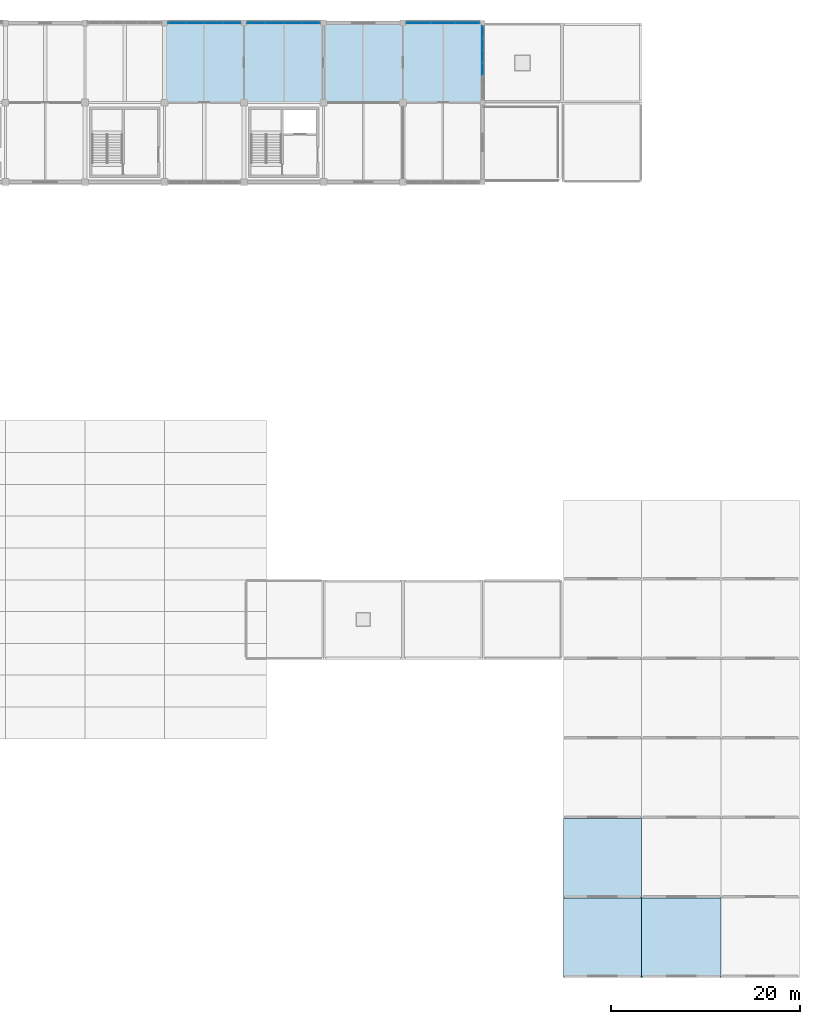
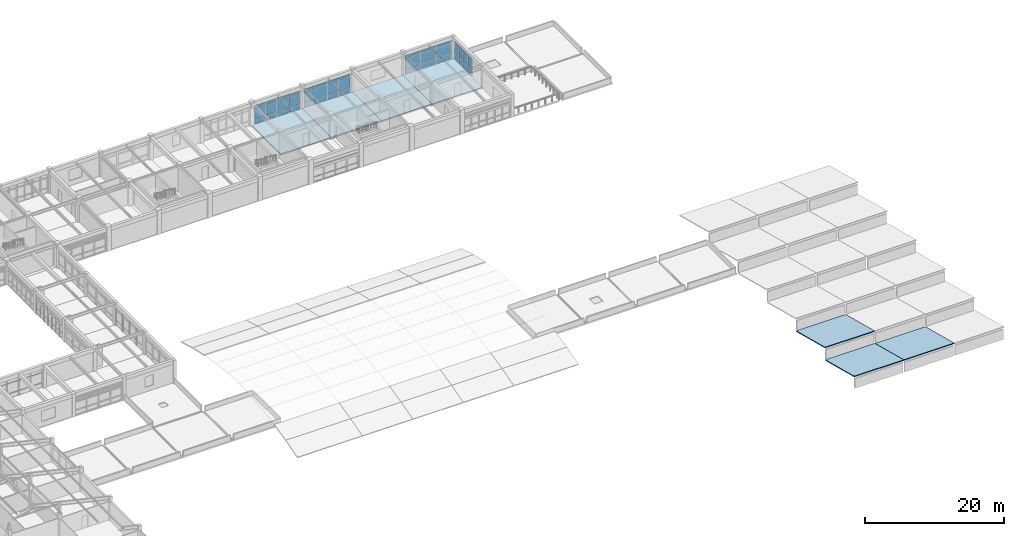
# One storey, part 28 of 40: 45 plates, 7 slabs, 4 elements without a shape of their own.
"""IFC4 building model written with IfcOpenShell, lengths in metres."""

from ifc_helpers import new_model, si_unit, direction, frame, origin, origin_2d, place, context, subcontext, project, spatial, polyline, rectangle, outline, extrude, material, layer, layer_set, type_object, element, aggregate, save


model = new_model("IFC4")

# Units and contexts
model_context = context("Model", 3, precision=1e-05, world=origin(), true_north=direction((0.0, 1.0)))
body_context = subcontext(model_context, "Body", "Model", "MODEL_VIEW")
ifc_project = project(units=[si_unit("LENGTHUNIT", "METRE"), si_unit("AREAUNIT", "SQUARE_METRE"), si_unit("VOLUMEUNIT", "CUBIC_METRE"), si_unit("PLANEANGLEUNIT", "RADIAN"), si_unit("MASSUNIT", "GRAM", prefix="KILO")], contexts=[model_context])

# Site, building, storey
site_placement = place(None, origin())
site = spatial("IfcSite", under=ifc_project, at=site_placement, CompositionType="ELEMENT")
building_placement = place(site_placement, origin())
building = spatial("IfcBuilding", under=site, at=building_placement, Name="Porcellanite Civic Hall", CompositionType="ELEMENT")
storey_placement = place(building_placement, frame((0.0, 0.0, 19.080078125)))
storey = spatial("IfcBuildingStorey", under=building, at=storey_placement, Name="L04", CompositionType="ELEMENT", Elevation=19.080078125)

# Curtain wall, plates
ifc_material_1 = material(Name="Anodised aluminium and solar laminated glass", Category="aluminium")
ifc_layer_1 = layer(ifc_material_1, 0.179931640625)
ifc_layer_set_1 = layer_set([ifc_layer_1], Name="Anodised aluminium and solar laminated glass")
curtain_wall_type_1 = type_object("IfcCurtainWallType", Name="CW-SYS04", PredefinedType="NOTDEFINED", material=ifc_layer_set_1)
curtain_wall_1_placement = place(storey_placement, origin())
curtain_wall_1 = element("IfcCurtainWall", 1, at=curtain_wall_1_placement, inside=storey, type_object=curtain_wall_type_1, Name="Curtain wall CW-253", PredefinedType="NOTDEFINED")
ifc_material_2 = material(Name="Cyclone laminated solar-control low-E glass", Category="glass")
ifc_layer_2 = layer(ifc_material_2, 0.030029296875)
ifc_layer_set_2 = layer_set([ifc_layer_2], Name="Cyclone laminated solar-control low-E glass")
plate_type_1 = type_object("IfcPlateType", Name="CWP-04", PredefinedType="CURTAIN_PANEL", material=ifc_layer_set_2)
plate_1_placement = place(storey_placement, frame((102.116455078125, 117.60009765625, 0.054931640625), z_axis=(0.0, 0.0, 1.0), x_axis=(1.0, 0.0, 0.0)))
plate_1 = element("IfcPlate", 2, at=plate_1_placement, type_object=plate_type_1, Name="CW-253 panel 1.1", PredefinedType="CURTAIN_PANEL", context=body_context, shape_type="SweptSolid", body=[
    extrude(rectangle(XDim=1.830810546875, YDim=0.030029296875, at=origin_2d()), origin(), (0.0, 0.0, 1.0), 0.8173828125),
])
plate_2_placement = place(storey_placement, frame((102.116455078125, 117.60009765625, 0.92724609375), z_axis=(0.0, 0.0, 1.0), x_axis=(1.0, 0.0, 0.0)))
plate_2 = element("IfcPlate", 3, at=plate_2_placement, type_object=plate_type_1, Name="CW-253 panel 1.2", PredefinedType="CURTAIN_PANEL", context=body_context, shape_type="SweptSolid", body=[
    extrude(rectangle(XDim=1.830810546875, YDim=0.030029296875, at=origin_2d()), origin(), (0.0, 0.0, 1.0), 1.764892578125),
])
plate_3_placement = place(storey_placement, frame((102.116455078125, 117.60009765625, 2.74755859375), z_axis=(0.0, 0.0, 1.0), x_axis=(1.0, 0.0, 0.0)))
plate_3 = element("IfcPlate", 4, at=plate_3_placement, type_object=plate_type_1, Name="CW-253 panel 1.3", PredefinedType="CURTAIN_PANEL", context=body_context, shape_type="SweptSolid", body=[
    extrude(rectangle(XDim=1.830810546875, YDim=0.030029296875, at=origin_2d()), origin(), (0.0, 0.0, 1.0), 0.5673828125),
])
plate_4_placement = place(storey_placement, frame((104.040771484375, 117.60009765625, 0.054931640625), z_axis=(0.0, 0.0, 1.0), x_axis=(1.0, 0.0, 0.0)))
plate_4 = element("IfcPlate", 5, at=plate_4_placement, type_object=plate_type_1, Name="CW-253 panel 2.1", PredefinedType="CURTAIN_PANEL", context=body_context, shape_type="SweptSolid", body=[
    extrude(rectangle(XDim=1.8681640625, YDim=0.030029296875, at=origin_2d()), origin(), (0.0, 0.0, 1.0), 0.8173828125),
])
plate_5_placement = place(storey_placement, frame((104.040771484375, 117.60009765625, 0.92724609375), z_axis=(0.0, 0.0, 1.0), x_axis=(1.0, 0.0, 0.0)))
plate_5 = element("IfcPlate", 6, at=plate_5_placement, type_object=plate_type_1, Name="CW-253 panel 2.2", PredefinedType="CURTAIN_PANEL", context=body_context, shape_type="SweptSolid", body=[
    extrude(rectangle(XDim=1.8681640625, YDim=0.030029296875, at=origin_2d()), origin(), (0.0, 0.0, 1.0), 1.764892578125),
])
plate_6_placement = place(storey_placement, frame((104.040771484375, 117.60009765625, 2.74755859375), z_axis=(0.0, 0.0, 1.0), x_axis=(1.0, 0.0, 0.0)))
plate_6 = element("IfcPlate", 7, at=plate_6_placement, type_object=plate_type_1, Name="CW-253 panel 2.3", PredefinedType="CURTAIN_PANEL", context=body_context, shape_type="SweptSolid", body=[
    extrude(rectangle(XDim=1.8681640625, YDim=0.030029296875, at=origin_2d()), origin(), (0.0, 0.0, 1.0), 0.5673828125),
])
plate_7_placement = place(storey_placement, frame((105.984130859375, 117.60009765625, 0.054931640625), z_axis=(0.0, 0.0, 1.0), x_axis=(1.0, 0.0, 0.0)))
plate_7 = element("IfcPlate", 8, at=plate_7_placement, type_object=plate_type_1, Name="CW-253 panel 3.1", PredefinedType="CURTAIN_PANEL", context=body_context, shape_type="SweptSolid", body=[
    extrude(rectangle(XDim=1.8681640625, YDim=0.030029296875, at=origin_2d()), origin(), (0.0, 0.0, 1.0), 0.8173828125),
])
plate_8_placement = place(storey_placement, frame((105.984130859375, 117.60009765625, 0.92724609375), z_axis=(0.0, 0.0, 1.0), x_axis=(1.0, 0.0, 0.0)))
plate_8 = element("IfcPlate", 9, at=plate_8_placement, type_object=plate_type_1, Name="CW-253 panel 3.2", PredefinedType="CURTAIN_PANEL", context=body_context, shape_type="SweptSolid", body=[
    extrude(rectangle(XDim=1.8681640625, YDim=0.030029296875, at=origin_2d()), origin(), (0.0, 0.0, 1.0), 1.764892578125),
])
plate_9_placement = place(storey_placement, frame((105.984130859375, 117.60009765625, 2.74755859375), z_axis=(0.0, 0.0, 1.0), x_axis=(1.0, 0.0, 0.0)))
plate_9 = element("IfcPlate", 10, at=plate_9_placement, type_object=plate_type_1, Name="CW-253 panel 3.3", PredefinedType="CURTAIN_PANEL", context=body_context, shape_type="SweptSolid", body=[
    extrude(rectangle(XDim=1.8681640625, YDim=0.030029296875, at=origin_2d()), origin(), (0.0, 0.0, 1.0), 0.5673828125),
])
plate_10_placement = place(storey_placement, frame((107.90869140625, 117.60009765625, 0.054931640625), z_axis=(0.0, 0.0, 1.0), x_axis=(1.0, 0.0, 0.0)))
plate_10 = element("IfcPlate", 11, at=plate_10_placement, type_object=plate_type_1, Name="CW-253 panel 4.1", PredefinedType="CURTAIN_PANEL", context=body_context, shape_type="SweptSolid", body=[
    extrude(rectangle(XDim=1.830810546875, YDim=0.030029296875, at=origin_2d()), origin(), (0.0, 0.0, 1.0), 0.8173828125),
])
plate_11_placement = place(storey_placement, frame((107.90869140625, 117.60009765625, 0.92724609375), z_axis=(0.0, 0.0, 1.0), x_axis=(1.0, 0.0, 0.0)))
plate_11 = element("IfcPlate", 12, at=plate_11_placement, type_object=plate_type_1, Name="CW-253 panel 4.2", PredefinedType="CURTAIN_PANEL", context=body_context, shape_type="SweptSolid", body=[
    extrude(rectangle(XDim=1.830810546875, YDim=0.030029296875, at=origin_2d()), origin(), (0.0, 0.0, 1.0), 1.764892578125),
])
plate_12_placement = place(storey_placement, frame((107.90869140625, 117.60009765625, 2.74755859375), z_axis=(0.0, 0.0, 1.0), x_axis=(1.0, 0.0, 0.0)))
plate_12 = element("IfcPlate", 13, at=plate_12_placement, type_object=plate_type_1, Name="CW-253 panel 4.3", PredefinedType="CURTAIN_PANEL", context=body_context, shape_type="SweptSolid", body=[
    extrude(rectangle(XDim=1.830810546875, YDim=0.030029296875, at=origin_2d()), origin(), (0.0, 0.0, 1.0), 0.5673828125),
])
aggregate(curtain_wall_1, [plate_1, plate_2, plate_3, plate_4, plate_5, plate_6, plate_7, plate_8, plate_9, plate_10, plate_11, plate_12])

ifc_material_3 = material(Name="Anodised aluminium and solar laminated glass", Category="aluminium")
ifc_layer_3 = layer(ifc_material_3, 0.179931640625)
ifc_layer_set_3 = layer_set([ifc_layer_3], Name="Anodised aluminium and solar laminated glass")
curtain_wall_type_2 = type_object("IfcCurtainWallType", Name="CW-SYS06", PredefinedType="NOTDEFINED", material=ifc_layer_set_3)
curtain_wall_2_placement = place(storey_placement, origin())
curtain_wall_2 = element("IfcCurtainWall", 14, at=curtain_wall_2_placement, inside=storey, type_object=curtain_wall_type_2, Name="Curtain wall CW-254", PredefinedType="NOTDEFINED")
ifc_material_4 = material(Name="Cyclone laminated solar-control low-E glass", Category="glass")
ifc_layer_4 = layer(ifc_material_4, 0.031982421875)
ifc_layer_set_4 = layer_set([ifc_layer_4], Name="Cyclone laminated solar-control low-E glass")
plate_type_2 = type_object("IfcPlateType", Name="CWP-05", PredefinedType="CURTAIN_PANEL", material=ifc_layer_set_4)
plate_13_placement = place(storey_placement, frame((110.48876953125, 117.60009765625, 0.0498046875), z_axis=(0.0, 0.0, 1.0), x_axis=(1.0, 0.0, 0.0)))
plate_13 = element("IfcPlate", 15, at=plate_13_placement, type_object=plate_type_2, Name="CW-254 panel 1.1", PredefinedType="CURTAIN_PANEL", context=body_context, shape_type="SweptSolid", body=[
    extrude(rectangle(XDim=1.845703125, YDim=0.031982421875, at=origin_2d()), origin(), (0.0, 0.0, 1.0), 0.824951171875),
])
plate_14_placement = place(storey_placement, frame((110.48876953125, 117.60009765625, 0.9248046875), z_axis=(0.0, 0.0, 1.0), x_axis=(1.0, 0.0, 0.0)))
plate_14 = element("IfcPlate", 16, at=plate_14_placement, type_object=plate_type_2, Name="CW-254 panel 1.2", PredefinedType="CURTAIN_PANEL", context=body_context, shape_type="SweptSolid", body=[
    extrude(rectangle(XDim=1.845703125, YDim=0.031982421875, at=origin_2d()), origin(), (0.0, 0.0, 1.0), 1.77001953125),
])
plate_15_placement = place(storey_placement, frame((110.48876953125, 117.60009765625, 2.7451171875), z_axis=(0.0, 0.0, 1.0), x_axis=(1.0, 0.0, 0.0)))
plate_15 = element("IfcPlate", 17, at=plate_15_placement, type_object=plate_type_2, Name="CW-254 panel 1.3", PredefinedType="CURTAIN_PANEL", context=body_context, shape_type="SweptSolid", body=[
    extrude(rectangle(XDim=1.845703125, YDim=0.031982421875, at=origin_2d()), origin(), (0.0, 0.0, 1.0), 0.574951171875),
])
plate_16_placement = place(storey_placement, frame((112.415771484375, 117.60009765625, 0.0498046875), z_axis=(0.0, 0.0, 1.0), x_axis=(1.0, 0.0, 0.0)))
plate_16 = element("IfcPlate", 18, at=plate_16_placement, type_object=plate_type_2, Name="CW-254 panel 2.1", PredefinedType="CURTAIN_PANEL", context=body_context, shape_type="SweptSolid", body=[
    extrude(rectangle(XDim=1.878173828125, YDim=0.031982421875, at=origin_2d()), origin(), (0.0, 0.0, 1.0), 0.824951171875),
])
plate_17_placement = place(storey_placement, frame((112.415771484375, 117.60009765625, 0.9248046875), z_axis=(0.0, 0.0, 1.0), x_axis=(1.0, 0.0, 0.0)))
plate_17 = element("IfcPlate", 19, at=plate_17_placement, type_object=plate_type_2, Name="CW-254 panel 2.2", PredefinedType="CURTAIN_PANEL", context=body_context, shape_type="SweptSolid", body=[
    extrude(rectangle(XDim=1.878173828125, YDim=0.031982421875, at=origin_2d()), origin(), (0.0, 0.0, 1.0), 1.77001953125),
])
plate_18_placement = place(storey_placement, frame((112.415771484375, 117.60009765625, 2.7451171875), z_axis=(0.0, 0.0, 1.0), x_axis=(1.0, 0.0, 0.0)))
plate_18 = element("IfcPlate", 20, at=plate_18_placement, type_object=plate_type_2, Name="CW-254 panel 2.3", PredefinedType="CURTAIN_PANEL", context=body_context, shape_type="SweptSolid", body=[
    extrude(rectangle(XDim=1.878173828125, YDim=0.031982421875, at=origin_2d()), origin(), (0.0, 0.0, 1.0), 0.574951171875),
])
plate_19_placement = place(storey_placement, frame((114.359130859375, 117.60009765625, 0.0498046875), z_axis=(0.0, 0.0, 1.0), x_axis=(1.0, 0.0, 0.0)))
plate_19 = element("IfcPlate", 21, at=plate_19_placement, type_object=plate_type_2, Name="CW-254 panel 3.1", PredefinedType="CURTAIN_PANEL", context=body_context, shape_type="SweptSolid", body=[
    extrude(rectangle(XDim=1.878173828125, YDim=0.031982421875, at=origin_2d()), origin(), (0.0, 0.0, 1.0), 0.824951171875),
])
plate_20_placement = place(storey_placement, frame((114.359130859375, 117.60009765625, 0.9248046875), z_axis=(0.0, 0.0, 1.0), x_axis=(1.0, 0.0, 0.0)))
plate_20 = element("IfcPlate", 22, at=plate_20_placement, type_object=plate_type_2, Name="CW-254 panel 3.2", PredefinedType="CURTAIN_PANEL", context=body_context, shape_type="SweptSolid", body=[
    extrude(rectangle(XDim=1.878173828125, YDim=0.031982421875, at=origin_2d()), origin(), (0.0, 0.0, 1.0), 1.77001953125),
])
plate_21_placement = place(storey_placement, frame((114.359130859375, 117.60009765625, 2.7451171875), z_axis=(0.0, 0.0, 1.0), x_axis=(1.0, 0.0, 0.0)))
plate_21 = element("IfcPlate", 23, at=plate_21_placement, type_object=plate_type_2, Name="CW-254 panel 3.3", PredefinedType="CURTAIN_PANEL", context=body_context, shape_type="SweptSolid", body=[
    extrude(rectangle(XDim=1.878173828125, YDim=0.031982421875, at=origin_2d()), origin(), (0.0, 0.0, 1.0), 0.574951171875),
])
plate_22_placement = place(storey_placement, frame((116.2861328125, 117.60009765625, 0.0498046875), z_axis=(0.0, 0.0, 1.0), x_axis=(1.0, 0.0, 0.0)))
plate_22 = element("IfcPlate", 24, at=plate_22_placement, type_object=plate_type_2, Name="CW-254 panel 4.1", PredefinedType="CURTAIN_PANEL", context=body_context, shape_type="SweptSolid", body=[
    extrude(rectangle(XDim=1.845703125, YDim=0.031982421875, at=origin_2d()), origin(), (0.0, 0.0, 1.0), 0.824951171875),
])
plate_23_placement = place(storey_placement, frame((116.2861328125, 117.60009765625, 0.9248046875), z_axis=(0.0, 0.0, 1.0), x_axis=(1.0, 0.0, 0.0)))
plate_23 = element("IfcPlate", 25, at=plate_23_placement, type_object=plate_type_2, Name="CW-254 panel 4.2", PredefinedType="CURTAIN_PANEL", context=body_context, shape_type="SweptSolid", body=[
    extrude(rectangle(XDim=1.845703125, YDim=0.031982421875, at=origin_2d()), origin(), (0.0, 0.0, 1.0), 1.77001953125),
])
plate_24_placement = place(storey_placement, frame((116.2861328125, 117.60009765625, 2.7451171875), z_axis=(0.0, 0.0, 1.0), x_axis=(1.0, 0.0, 0.0)))
plate_24 = element("IfcPlate", 26, at=plate_24_placement, type_object=plate_type_2, Name="CW-254 panel 4.3", PredefinedType="CURTAIN_PANEL", context=body_context, shape_type="SweptSolid", body=[
    extrude(rectangle(XDim=1.845703125, YDim=0.031982421875, at=origin_2d()), origin(), (0.0, 0.0, 1.0), 0.574951171875),
])
aggregate(curtain_wall_2, [plate_13, plate_14, plate_15, plate_16, plate_17, plate_18, plate_19, plate_20, plate_21, plate_22, plate_23, plate_24])

ifc_material_5 = material(Name="Anodised aluminium and solar laminated glass", Category="aluminium")
ifc_layer_5 = layer(ifc_material_5, 0.179931640625)
ifc_layer_set_5 = layer_set([ifc_layer_5], Name="Anodised aluminium and solar laminated glass")
curtain_wall_type_3 = type_object("IfcCurtainWallType", Name="CW-SYS08", PredefinedType="NOTDEFINED", material=ifc_layer_set_5)
curtain_wall_3_placement = place(storey_placement, origin())
curtain_wall_3 = element("IfcCurtainWall", 27, at=curtain_wall_3_placement, inside=storey, type_object=curtain_wall_type_3, Name="Curtain wall CW-256", PredefinedType="NOTDEFINED")
ifc_material_6 = material(Name="Cyclone laminated solar-control low-E glass", Category="glass")
ifc_layer_6 = layer(ifc_material_6, 0.035888671875)
ifc_layer_set_6 = layer_set([ifc_layer_6], Name="Cyclone laminated solar-control low-E glass")
plate_type_3 = type_object("IfcPlateType", Name="CWP-07", PredefinedType="CURTAIN_PANEL", material=ifc_layer_set_6)
plate_25_placement = place(storey_placement, frame((127.624755859375, 117.60009765625, 0.070068359375), z_axis=(0.0, 0.0, 1.0), x_axis=(1.0, 0.0, 0.0)))
plate_25 = element("IfcPlate", 28, at=plate_25_placement, type_object=plate_type_3, Name="CW-256 panel 1.1", PredefinedType="CURTAIN_PANEL", context=body_context, shape_type="SweptSolid", body=[
    extrude(rectangle(XDim=2.487548828125, YDim=0.035888671875, at=origin_2d()), origin(), (0.0, 0.0, 1.0), 0.794921875),
])
plate_26_placement = place(storey_placement, frame((127.624755859375, 117.60009765625, 0.934814453125), z_axis=(0.0, 0.0, 1.0), x_axis=(1.0, 0.0, 0.0)))
plate_26 = element("IfcPlate", 29, at=plate_26_placement, type_object=plate_type_3, Name="CW-256 panel 1.2", PredefinedType="CURTAIN_PANEL", context=body_context, shape_type="SweptSolid", body=[
    extrude(rectangle(XDim=2.487548828125, YDim=0.035888671875, at=origin_2d()), origin(), (0.0, 0.0, 1.0), 1.75),
])
plate_27_placement = place(storey_placement, frame((127.624755859375, 117.60009765625, 2.7548828125), z_axis=(0.0, 0.0, 1.0), x_axis=(1.0, 0.0, 0.0)))
plate_27 = element("IfcPlate", 30, at=plate_27_placement, type_object=plate_type_3, Name="CW-256 panel 1.3", PredefinedType="CURTAIN_PANEL", context=body_context, shape_type="SweptSolid", body=[
    extrude(rectangle(XDim=2.487548828125, YDim=0.035888671875, at=origin_2d()), origin(), (0.0, 0.0, 1.0), 0.544921875),
])
plate_28_placement = place(storey_placement, frame((130.21240234375, 117.60009765625, 0.070068359375), z_axis=(0.0, 0.0, 1.0), x_axis=(1.0, 0.0, 0.0)))
plate_28 = element("IfcPlate", 31, at=plate_28_placement, type_object=plate_type_3, Name="CW-256 panel 2.1", PredefinedType="CURTAIN_PANEL", context=body_context, shape_type="SweptSolid", body=[
    extrude(rectangle(XDim=2.527587890625, YDim=0.035888671875, at=origin_2d()), origin(), (0.0, 0.0, 1.0), 0.794921875),
])
plate_29_placement = place(storey_placement, frame((130.21240234375, 117.60009765625, 0.934814453125), z_axis=(0.0, 0.0, 1.0), x_axis=(1.0, 0.0, 0.0)))
plate_29 = element("IfcPlate", 32, at=plate_29_placement, type_object=plate_type_3, Name="CW-256 panel 2.2", PredefinedType="CURTAIN_PANEL", context=body_context, shape_type="SweptSolid", body=[
    extrude(rectangle(XDim=2.527587890625, YDim=0.035888671875, at=origin_2d()), origin(), (0.0, 0.0, 1.0), 1.75),
])
plate_30_placement = place(storey_placement, frame((130.21240234375, 117.60009765625, 2.7548828125), z_axis=(0.0, 0.0, 1.0), x_axis=(1.0, 0.0, 0.0)))
plate_30 = element("IfcPlate", 33, at=plate_30_placement, type_object=plate_type_3, Name="CW-256 panel 2.3", PredefinedType="CURTAIN_PANEL", context=body_context, shape_type="SweptSolid", body=[
    extrude(rectangle(XDim=2.527587890625, YDim=0.035888671875, at=origin_2d()), origin(), (0.0, 0.0, 1.0), 0.544921875),
])
plate_31_placement = place(storey_placement, frame((132.800048828125, 117.60009765625, 0.070068359375), z_axis=(0.0, 0.0, 1.0), x_axis=(1.0, 0.0, 0.0)))
plate_31 = element("IfcPlate", 34, at=plate_31_placement, type_object=plate_type_3, Name="CW-256 panel 3.1", PredefinedType="CURTAIN_PANEL", context=body_context, shape_type="SweptSolid", body=[
    extrude(rectangle(XDim=2.487548828125, YDim=0.035888671875, at=origin_2d()), origin(), (0.0, 0.0, 1.0), 0.794921875),
])
plate_32_placement = place(storey_placement, frame((132.800048828125, 117.60009765625, 0.934814453125), z_axis=(0.0, 0.0, 1.0), x_axis=(1.0, 0.0, 0.0)))
plate_32 = element("IfcPlate", 35, at=plate_32_placement, type_object=plate_type_3, Name="CW-256 panel 3.2", PredefinedType="CURTAIN_PANEL", context=body_context, shape_type="SweptSolid", body=[
    extrude(rectangle(XDim=2.487548828125, YDim=0.035888671875, at=origin_2d()), origin(), (0.0, 0.0, 1.0), 1.75),
])
plate_33_placement = place(storey_placement, frame((132.800048828125, 117.60009765625, 2.7548828125), z_axis=(0.0, 0.0, 1.0), x_axis=(1.0, 0.0, 0.0)))
plate_33 = element("IfcPlate", 36, at=plate_33_placement, type_object=plate_type_3, Name="CW-256 panel 3.3", PredefinedType="CURTAIN_PANEL", context=body_context, shape_type="SweptSolid", body=[
    extrude(rectangle(XDim=2.487548828125, YDim=0.035888671875, at=origin_2d()), origin(), (0.0, 0.0, 1.0), 0.544921875),
])
aggregate(curtain_wall_3, [plate_25, plate_26, plate_27, plate_28, plate_29, plate_30, plate_31, plate_32, plate_33])

ifc_material_7 = material(Name="Anodised aluminium and solar laminated glass", Category="aluminium")
ifc_layer_7 = layer(ifc_material_7, 0.179931640625)
ifc_layer_set_7 = layer_set([ifc_layer_7], Name="Anodised aluminium and solar laminated glass")
curtain_wall_type_4 = type_object("IfcCurtainWallType", Name="CW-SYS01", PredefinedType="NOTDEFINED", material=ifc_layer_set_7)
curtain_wall_4_placement = place(storey_placement, origin())
curtain_wall_4 = element("IfcCurtainWall", 37, at=curtain_wall_4_placement, inside=storey, type_object=curtain_wall_type_4, Name="Curtain wall CW-257", PredefinedType="NOTDEFINED")
ifc_material_8 = material(Name="Insulated ochre aluminium spandrel panel", Category="aluminium")
ifc_layer_8 = layer(ifc_material_8, 0.0380859375)
ifc_layer_set_8 = layer_set([ifc_layer_8], Name="Insulated ochre aluminium spandrel panel")
plate_type_4 = type_object("IfcPlateType", Name="CWP-08", PredefinedType="CURTAIN_PANEL", material=ifc_layer_set_8)
plate_34_placement = place(storey_placement, frame((134.39990234375, 116.652587890625, 0.059814453125), z_axis=(0.0, 0.0, 1.0), x_axis=(0.0, -1.0, 0.0)))
plate_34 = element("IfcPlate", 38, at=plate_34_placement, type_object=plate_type_4, Name="CW-257 panel 1.1", PredefinedType="CURTAIN_PANEL", context=body_context, shape_type="SweptSolid", body=[
    extrude(rectangle(XDim=1.202880859375, YDim=0.0380859375, at=origin_2d()), origin(), (0.0, 0.0, 1.0), 0.81005859375),
])
plate_35_placement = place(storey_placement, frame((134.39990234375, 116.652587890625, 0.9296875), z_axis=(0.0, 0.0, 1.0), x_axis=(0.0, -1.0, 0.0)))
plate_35 = element("IfcPlate", 39, at=plate_35_placement, type_object=plate_type_4, Name="CW-257 panel 1.2", PredefinedType="CURTAIN_PANEL", context=body_context, shape_type="SweptSolid", body=[
    extrude(rectangle(XDim=1.202880859375, YDim=0.0380859375, at=origin_2d()), origin(), (0.0, 0.0, 1.0), 1.760009765625),
])
plate_36_placement = place(storey_placement, frame((134.39990234375, 116.652587890625, 2.75), z_axis=(0.0, 0.0, 1.0), x_axis=(0.0, -1.0, 0.0)))
plate_36 = element("IfcPlate", 40, at=plate_36_placement, type_object=plate_type_4, Name="CW-257 panel 1.3", PredefinedType="CURTAIN_PANEL", context=body_context, shape_type="SweptSolid", body=[
    extrude(rectangle(XDim=1.202880859375, YDim=0.0380859375, at=origin_2d()), origin(), (0.0, 0.0, 1.0), 0.56005859375),
])
plate_37_placement = place(storey_placement, frame((134.39990234375, 115.362060546875, 0.059814453125), z_axis=(0.0, 0.0, 1.0), x_axis=(0.0, -1.0, 0.0)))
plate_37 = element("IfcPlate", 41, at=plate_37_placement, type_object=plate_type_4, Name="CW-257 panel 2.1", PredefinedType="CURTAIN_PANEL", context=body_context, shape_type="SweptSolid", body=[
    extrude(rectangle(XDim=1.238037109375, YDim=0.0380859375, at=origin_2d()), origin(), (0.0, 0.0, 1.0), 0.81005859375),
])
plate_38_placement = place(storey_placement, frame((134.39990234375, 115.362060546875, 0.9296875), z_axis=(0.0, 0.0, 1.0), x_axis=(0.0, -1.0, 0.0)))
plate_38 = element("IfcPlate", 42, at=plate_38_placement, type_object=plate_type_4, Name="CW-257 panel 2.2", PredefinedType="CURTAIN_PANEL", context=body_context, shape_type="SweptSolid", body=[
    extrude(rectangle(XDim=1.238037109375, YDim=0.0380859375, at=origin_2d()), origin(), (0.0, 0.0, 1.0), 1.760009765625),
])
plate_39_placement = place(storey_placement, frame((134.39990234375, 115.362060546875, 2.75), z_axis=(0.0, 0.0, 1.0), x_axis=(0.0, -1.0, 0.0)))
plate_39 = element("IfcPlate", 43, at=plate_39_placement, type_object=plate_type_4, Name="CW-257 panel 2.3", PredefinedType="CURTAIN_PANEL", context=body_context, shape_type="SweptSolid", body=[
    extrude(rectangle(XDim=1.238037109375, YDim=0.0380859375, at=origin_2d()), origin(), (0.0, 0.0, 1.0), 0.56005859375),
])
plate_40_placement = place(storey_placement, frame((134.39990234375, 114.053955078125, 0.059814453125), z_axis=(0.0, 0.0, 1.0), x_axis=(0.0, -1.0, 0.0)))
plate_40 = element("IfcPlate", 44, at=plate_40_placement, type_object=plate_type_4, Name="CW-257 panel 3.1", PredefinedType="CURTAIN_PANEL", context=body_context, shape_type="SweptSolid", body=[
    extrude(rectangle(XDim=1.238037109375, YDim=0.0380859375, at=origin_2d()), origin(), (0.0, 0.0, 1.0), 0.81005859375),
])
plate_41_placement = place(storey_placement, frame((134.39990234375, 114.053955078125, 0.9296875), z_axis=(0.0, 0.0, 1.0), x_axis=(0.0, -1.0, 0.0)))
plate_41 = element("IfcPlate", 45, at=plate_41_placement, type_object=plate_type_4, Name="CW-257 panel 3.2", PredefinedType="CURTAIN_PANEL", context=body_context, shape_type="SweptSolid", body=[
    extrude(rectangle(XDim=1.238037109375, YDim=0.0380859375, at=origin_2d()), origin(), (0.0, 0.0, 1.0), 1.760009765625),
])
plate_42_placement = place(storey_placement, frame((134.39990234375, 114.053955078125, 2.75), z_axis=(0.0, 0.0, 1.0), x_axis=(0.0, -1.0, 0.0)))
plate_42 = element("IfcPlate", 46, at=plate_42_placement, type_object=plate_type_4, Name="CW-257 panel 3.3", PredefinedType="CURTAIN_PANEL", context=body_context, shape_type="SweptSolid", body=[
    extrude(rectangle(XDim=1.238037109375, YDim=0.0380859375, at=origin_2d()), origin(), (0.0, 0.0, 1.0), 0.56005859375),
])
plate_43_placement = place(storey_placement, frame((134.39990234375, 112.74609375, 0.059814453125), z_axis=(0.0, 0.0, 1.0), x_axis=(0.0, -1.0, 0.0)))
plate_43 = element("IfcPlate", 47, at=plate_43_placement, type_object=plate_type_4, Name="CW-257 panel 4.1", PredefinedType="CURTAIN_PANEL", context=body_context, shape_type="SweptSolid", body=[
    extrude(rectangle(XDim=1.238037109375, YDim=0.0380859375, at=origin_2d()), origin(), (0.0, 0.0, 1.0), 0.81005859375),
])
plate_44_placement = place(storey_placement, frame((134.39990234375, 112.74609375, 0.9296875), z_axis=(0.0, 0.0, 1.0), x_axis=(0.0, -1.0, 0.0)))
plate_44 = element("IfcPlate", 48, at=plate_44_placement, type_object=plate_type_4, Name="CW-257 panel 4.2", PredefinedType="CURTAIN_PANEL", context=body_context, shape_type="SweptSolid", body=[
    extrude(rectangle(XDim=1.238037109375, YDim=0.0380859375, at=origin_2d()), origin(), (0.0, 0.0, 1.0), 1.760009765625),
])
plate_45_placement = place(storey_placement, frame((134.39990234375, 112.74609375, 2.75), z_axis=(0.0, 0.0, 1.0), x_axis=(0.0, -1.0, 0.0)))
plate_45 = element("IfcPlate", 49, at=plate_45_placement, type_object=plate_type_4, Name="CW-257 panel 4.3", PredefinedType="CURTAIN_PANEL", context=body_context, shape_type="SweptSolid", body=[
    extrude(rectangle(XDim=1.238037109375, YDim=0.0380859375, at=origin_2d()), origin(), (0.0, 0.0, 1.0), 0.56005859375),
])
aggregate(curtain_wall_4, [plate_34, plate_35, plate_36, plate_37, plate_38, plate_39, plate_40, plate_41, plate_42, plate_43, plate_44, plate_45])

# Slabs
ifc_material_9 = material(Name="Concrete N40 (40 MPa)", Category="concrete")
ifc_layer_9 = layer(ifc_material_9, 0.25)
ifc_layer_set_9 = layer_set([ifc_layer_9], Name="Concrete N40 (40 MPa)")
slab_type_1 = type_object("IfcSlabType", Name="SL-FL250", PredefinedType="FLOOR", material=ifc_layer_set_9)
slab_1_placement = place(storey_placement, frame((0.0, 0.0, -0.25)))
element("IfcSlab", 50, at=slab_1_placement, inside=storey, type_object=slab_type_1, Name="Slab L04 bay 13-14", PredefinedType="FLOOR", context=body_context, shape_type="SweptSolid", body=[
    extrude(outline(polyline([(100.800048828125, 109.199951171875), (109.199951171875, 109.199951171875), (109.199951171875, 117.60009765625), (100.800048828125, 117.60009765625), (100.800048828125, 109.199951171875)])), origin(), (0.0, 0.0, 1.0), 0.25),
])
slab_2_placement = place(storey_placement, frame((0.0, 0.0, -0.25)))
element("IfcSlab", 51, at=slab_2_placement, inside=storey, type_object=slab_type_1, Name="Slab L04 bay 14-14", PredefinedType="FLOOR", context=body_context, shape_type="SweptSolid", body=[
    extrude(outline(polyline([(109.199951171875, 109.199951171875), (117.60009765625, 109.199951171875), (117.60009765625, 117.60009765625), (109.199951171875, 117.60009765625), (109.199951171875, 109.199951171875)])), origin(), (0.0, 0.0, 1.0), 0.25),
])
slab_3_placement = place(storey_placement, frame((0.0, 0.0, -0.25)))
element("IfcSlab", 52, at=slab_3_placement, inside=storey, type_object=slab_type_1, Name="Slab L04 bay 15-14", PredefinedType="FLOOR", context=body_context, shape_type="SweptSolid", body=[
    extrude(outline(polyline([(117.60009765625, 109.199951171875), (126.0, 109.199951171875), (126.0, 117.60009765625), (117.60009765625, 117.60009765625), (117.60009765625, 109.199951171875)])), origin(), (0.0, 0.0, 1.0), 0.25),
])
slab_4_placement = place(storey_placement, frame((0.0, 0.0, -0.25)))
element("IfcSlab", 53, at=slab_4_placement, inside=storey, type_object=slab_type_1, Name="Slab L04 bay 16-14", PredefinedType="FLOOR", context=body_context, shape_type="SweptSolid", body=[
    extrude(outline(polyline([(126.0, 109.199951171875), (134.39990234375, 109.199951171875), (134.39990234375, 117.60009765625), (126.0, 117.60009765625), (126.0, 109.199951171875)])), origin(), (0.0, 0.0, 1.0), 0.25),
])
ifc_material_10 = material(Name="Concrete N40 (40 MPa)", Category="concrete")
ifc_layer_10 = layer(ifc_material_10, 0.14990234375)
ifc_layer_set_10 = layer_set([ifc_layer_10], Name="Concrete N40 (40 MPa)")
slab_type_2 = type_object("IfcSlabType", Name="SL-SAW150", PredefinedType="ROOF", material=ifc_layer_set_10)
slab_5_placement = place(storey_placement, frame((142.93994140625, 16.840087890625, 2.161865234375), z_axis=(0.0, 0.250375476103, 0.968148811375), x_axis=(1.0, 0.0, 0.0)))
element("IfcSlab", 54, at=slab_5_placement, inside=storey, type_object=slab_type_2, Name="Members Library sawtooth roof 17-2", PredefinedType="ROOF", context=body_context, shape_type="SweptSolid", body=[
    extrude(outline(polyline([(0.0, 0.0), (8.260009765625, 0.0), (8.260009765625, 8.59353863889695), (0.0, 8.59353863889695), (0.0, 0.0)])), origin(), (0.0, 0.0, -1.0), 0.14990234375),
])
slab_6_placement = place(storey_placement, frame((151.199951171875, 16.840087890625, 2.161865234375), z_axis=(0.0, 0.250375476103, 0.968148811375), x_axis=(1.0, 0.0, 0.0)))
element("IfcSlab", 55, at=slab_6_placement, inside=storey, type_object=slab_type_2, Name="Members Library sawtooth roof 18-2", PredefinedType="ROOF", context=body_context, shape_type="SweptSolid", body=[
    extrude(outline(polyline([(0.0, 0.0), (8.400146484375, 0.0), (8.400146484375, 8.593538638896952), (0.0, 8.593538638896952), (0.0, 0.0)])), origin(), (0.0, 0.0, -1.0), 0.14990234375),
])
slab_7_placement = place(storey_placement, frame((142.93994140625, 25.239990234375, 2.161865234375), z_axis=(0.0, 0.250368589733, 0.968150592251), x_axis=(1.0, 0.0, 0.0)))
element("IfcSlab", 56, at=slab_7_placement, inside=storey, type_object=slab_type_2, Name="Members Library sawtooth roof 17-3", PredefinedType="ROOF", context=body_context, shape_type="SweptSolid", body=[
    extrude(outline(polyline([(0.0, 0.0), (8.260009765625, 0.0), (8.260009765625, 8.59377500357025), (0.0, 8.59377500357025), (0.0, 0.0)])), origin(), (0.0, 0.0, -1.0), 0.14990234375),
])

save(model, "model.ifc")
